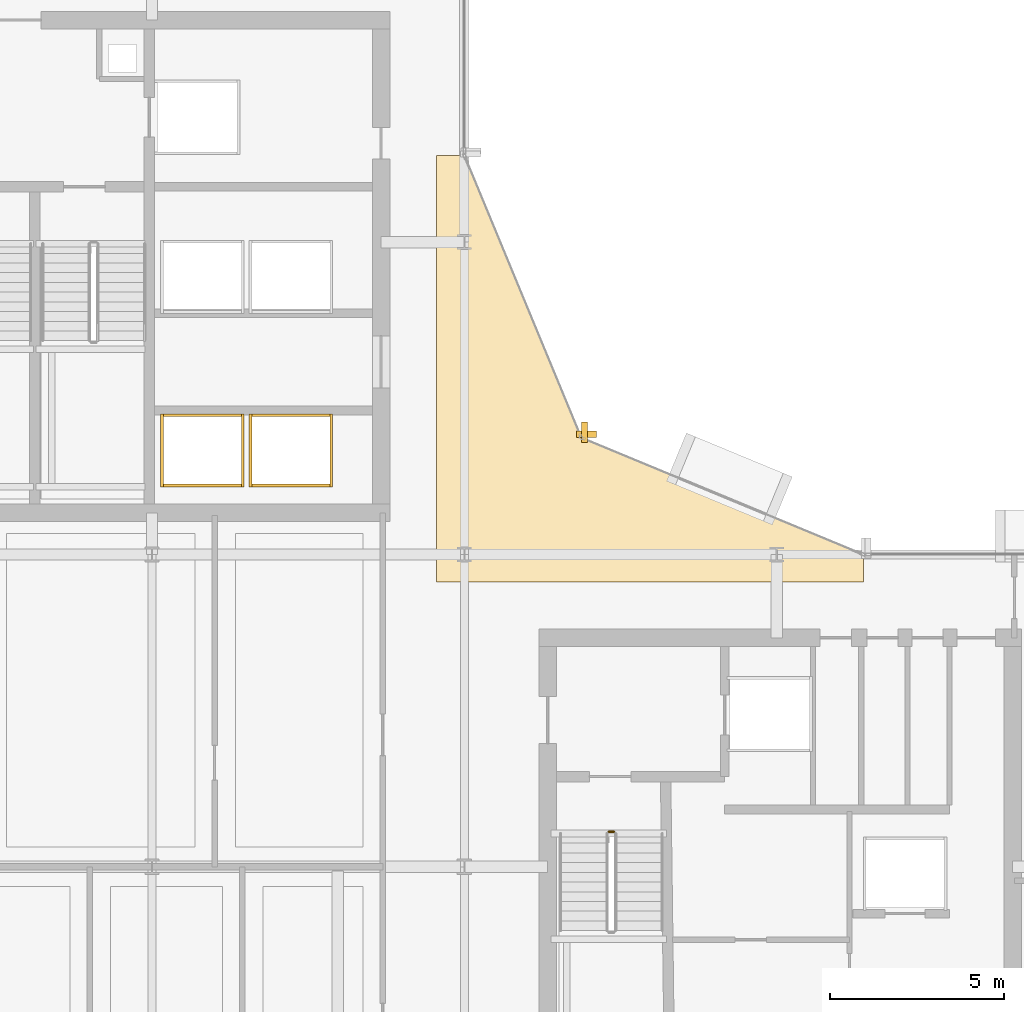
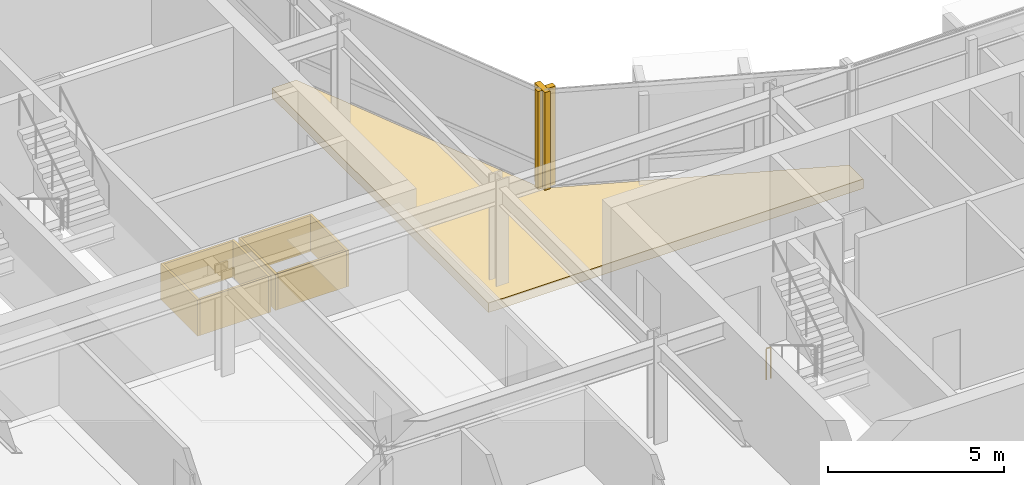
# One storey, part 26 of 28: 11 coverings, 1 railing.
"""IFC4 building model written with IfcOpenShell, lengths in metres."""

import ifcopenshell
import ifcopenshell.guid

model = None  # the IFC model being written
_history = None  # IfcOwnerHistory: only IFC2X3 demands one
_inside = {}  # id of a spatial element -> (the spatial element, [elements in it])
_under = {}  # id of a project, library or spatial element -> (it, [spatial elements below it])
_declared = {}  # id of a project -> (the project, [libraries it declares])
_typed = {}  # id of a type object -> (the type object, [elements of that type])
_made_of = {}  # id of a material, layer set ... -> (it, [elements and type objects made of it])


def new_model(schema):
    """Start an empty IFC model of exactly this schema.

    Asked for "IFC4X3", IfcOpenShell would pick the latest addendum, in which some entities
    have other attributes; the version numbers below select the first issue.
    IFC2X3 requires an IfcOwnerHistory on every rooted entity: one is made here for all.
    """
    global model, _history
    if schema == "IFC4X3":
        model = ifcopenshell.file(schema_version=(4, 3, 0, 0))
    else:
        model = ifcopenshell.file(schema=schema)
    _inside.clear()
    _under.clear()
    _declared.clear()
    _typed.clear()
    _made_of.clear()
    _history = None
    if model.schema == "IFC2X3":
        org = make("IfcOrganization", Name="unknown")
        user = make(
            "IfcPersonAndOrganization",
            ThePerson=make("IfcPerson", FamilyName="unknown"),
            TheOrganization=org,
        )
        app = make(
            "IfcApplication",
            ApplicationDeveloper=org,
            Version="unknown",
            ApplicationFullName="unknown",
            ApplicationIdentifier="unknown",
        )
        _history = make(
            "IfcOwnerHistory",
            OwningUser=user,
            OwningApplication=app,
            ChangeAction="ADDED",
            CreationDate=0,
        )
    return model


def make(cls, **values):
    """One entity of the class cls with the attributes given. An attribute that is None is left unset."""
    return model.create_entity(
        cls, **{name: value for name, value in values.items() if value is not None}
    )


def rooted(cls, **values):
    """An entity with a GlobalId (a new one), such as an element, a storey or a relation."""
    return make(cls, GlobalId=ifcopenshell.guid.new(), OwnerHistory=_history, **values)


def si_unit(unit_type, name, prefix=None):
    """IfcSIUnit, for example si_unit("LENGTHUNIT", "METRE", prefix="MILLI")."""
    return make("IfcSIUnit", UnitType=unit_type, Prefix=prefix, Name=name)


def assignment(units):
    """IfcUnitAssignment: the units of a project."""
    return None if units is None else make("IfcUnitAssignment", Units=units)


def point(xyz):
    """IfcCartesianPoint."""
    return None if xyz is None else make("IfcCartesianPoint", Coordinates=xyz)


def direction(xyz):
    """IfcDirection."""
    return None if xyz is None else make("IfcDirection", DirectionRatios=xyz)


def frame(location, z_axis=None, x_axis=None):
    """IfcAxis2Placement3D, a coordinate frame: its origin and axes. An axis left out is left unset."""
    return make(
        "IfcAxis2Placement3D",
        Location=point(location),
        Axis=direction(z_axis),
        RefDirection=direction(x_axis),
    )


def frame_2d(location, x_axis=None):
    """IfcAxis2Placement2D, a coordinate frame in the plane: its origin and x axis."""
    return make(
        "IfcAxis2Placement2D", Location=point(location), RefDirection=direction(x_axis)
    )


def origin():
    """The frame at (0, 0, 0) with its axes left unset."""
    return frame((0.0, 0.0, 0.0))


def origin_2d():
    """The frame at (0, 0) in the plane with its x axis left unset."""
    return frame_2d((0.0, 0.0))


def place(relative_to, where):
    """IfcLocalPlacement: puts the frame where relative to a parent placement (None: the world)."""
    return make(
        "IfcLocalPlacement", PlacementRelTo=relative_to, RelativePlacement=where
    )


def context(
    kind, dimensions, precision=None, world=None, true_north=None, identifier=None
):
    """IfcGeometricRepresentationContext, for example the 3D "Model" context."""
    return make(
        "IfcGeometricRepresentationContext",
        ContextIdentifier=identifier,
        ContextType=kind,
        CoordinateSpaceDimension=dimensions,
        Precision=precision,
        WorldCoordinateSystem=world,
        TrueNorth=true_north,
    )


def subcontext(parent, identifier, kind, view, scale=None):
    """IfcGeometricRepresentationSubContext, for example "Body" below "Model"."""
    return make(
        "IfcGeometricRepresentationSubContext",
        ContextIdentifier=identifier,
        ContextType=kind,
        ParentContext=parent,
        TargetScale=scale,
        TargetView=view,
    )


def project(units=None, contexts=None):
    """IfcProject with its units and contexts."""
    return rooted(
        "IfcProject",
        Name="project",
        RepresentationContexts=contexts,
        UnitsInContext=assignment(units),
    )


def spatial(cls, under=None, at=None, **own):
    """A site, building, storey or space (cls), placed at a placement, below another one or the project."""
    s = rooted(cls, ObjectPlacement=at, **own)
    if under is not None:
        _under.setdefault(under.id(), (under, []))[1].append(s)
    return s


def polyline(points):
    """IfcPolyline through the points."""
    return make("IfcPolyline", Points=[point(p) for p in points])


def profile(cls, at=None, kind="AREA", **sizes):
    """A parametric profile (cls). Its sizes go by their IFC names, for example OverallWidth=200.0."""
    return make(cls, ProfileType=kind, Position=at, **sizes)


def rectangle(**sizes):
    """IfcRectangleProfileDef."""
    return profile("IfcRectangleProfileDef", **sizes)


def circle(**sizes):
    """IfcCircleProfileDef."""
    return profile("IfcCircleProfileDef", **sizes)


def outline(outer, holes=None, kind="AREA"):
    """IfcArbitraryClosedProfileDef: a profile drawn as a closed curve; with holes, ...WithVoids."""
    if holes is None:
        return make("IfcArbitraryClosedProfileDef", ProfileType=kind, OuterCurve=outer)
    return make(
        "IfcArbitraryProfileDefWithVoids",
        ProfileType=kind,
        OuterCurve=outer,
        InnerCurves=holes,
    )


def extrude(swept, where, along, depth):
    """IfcExtrudedAreaSolid: the profile swept, set in the frame where, extruded along a direction by depth."""
    return make(
        "IfcExtrudedAreaSolid",
        SweptArea=swept,
        Position=where,
        ExtrudedDirection=direction(along),
        Depth=depth,
    )


def shape(context_of_items, identifier, shape_type, items):
    """IfcShapeRepresentation: the items that make up one representation, for example the "Body"."""
    return make(
        "IfcShapeRepresentation",
        ContextOfItems=context_of_items,
        RepresentationIdentifier=identifier,
        RepresentationType=shape_type,
        Items=items,
    )


def material(Name=None, Category=None):
    """IfcMaterial."""
    return make("IfcMaterial", Name=Name, Category=Category)


def layer(
    of_material, thickness, ventilated=None, Name=None, Category=None, Priority=None
):
    """IfcMaterialLayer: one layer of a wall or slab, of a material (None: an air gap)."""
    return make(
        "IfcMaterialLayer",
        Material=of_material,
        LayerThickness=thickness,
        IsVentilated=ventilated,
        Name=Name,
        Category=Category,
        Priority=Priority,
    )


def layer_set(layers, Name=None):
    """IfcMaterialLayerSet."""
    return make("IfcMaterialLayerSet", MaterialLayers=layers, LayerSetName=Name)


def made_of(thing, what):
    """Note that an element or type object is made of a material, layer set ...; save() writes the relation."""
    if what is not None:
        _made_of.setdefault(what.id(), (what, []))[1].append(thing)
    return thing


def type_object(cls, material=None, **own):
    """A type object (cls), such as IfcWallType, which elements share."""
    return made_of(rooted(cls, **own), material)


def element(
    cls,
    number,
    at=None,
    inside=None,
    cuts=None,
    type_object=None,
    material=None,
    context=None,
    identifier="Body",
    shape_type=None,
    held_by="IfcProductDefinitionShape",
    body=None,
    shapes=None,
    **own,
):
    """One element of the class cls, such as IfcWall. Its Tag is "e" and its number.

    at: its placement. inside: the storey or other place that contains it. cuts: it is an
    opening in that element (IfcRelVoidsElement). A single representation is given by context,
    identifier, shape_type and body (its items); several are given by shapes. held_by: the class
    of the entity that holds the representations. save() writes the other relations.
    """
    e = rooted(cls, Tag="e%d" % number, ObjectPlacement=at, **own)
    if body is not None:
        shapes = [shape(context, identifier, shape_type, body)]
    if shapes is not None:
        e.Representation = make(held_by, Representations=shapes)
    if inside is not None:
        _inside.setdefault(inside.id(), (inside, []))[1].append(e)
    if cuts is not None:
        rooted(
            "IfcRelVoidsElement", RelatingBuildingElement=cuts, RelatedOpeningElement=e
        )
    if type_object is not None:
        _typed.setdefault(type_object.id(), (type_object, []))[1].append(e)
    return made_of(e, material)


def aggregate(whole, parts):
    """IfcRelAggregates: a whole, such as a stair, and the parts it consists of."""
    return rooted("IfcRelAggregates", RelatingObject=whole, RelatedObjects=parts)


def save(model, path):
    """Write the relations noted so far, then the file.

    IfcRelAggregates (storeys below a building ...), IfcRelContainedInSpatialStructure (elements
    in a storey), IfcRelDefinesByType, IfcRelAssociatesMaterial and IfcRelDeclares: one each for
    every whole, place, type object, material and project.
    """
    for whole, parts in _under.values():
        aggregate(whole, parts)
    for where, things in _inside.values():
        rooted(
            "IfcRelContainedInSpatialStructure",
            RelatedElements=things,
            RelatingStructure=where,
        )
    for kind, things in _typed.values():
        rooted("IfcRelDefinesByType", RelatedObjects=things, RelatingType=kind)
    for what, things in _made_of.values():
        rooted("IfcRelAssociatesMaterial", RelatedObjects=things, RelatingMaterial=what)
    for by, libraries in _declared.values():
        rooted("IfcRelDeclares", RelatingContext=by, RelatedDefinitions=libraries)
    model.write(path)


model = new_model("IFC4")

# Units and contexts
model_context = context("Model", 3, precision=1e-05, world=origin(), true_north=direction((0.0, 1.0)))
body_context = subcontext(model_context, "Body", "Model", "MODEL_VIEW")
ifc_project = project(units=[si_unit("LENGTHUNIT", "METRE"), si_unit("AREAUNIT", "SQUARE_METRE"), si_unit("VOLUMEUNIT", "CUBIC_METRE"), si_unit("PLANEANGLEUNIT", "RADIAN"), si_unit("MASSUNIT", "GRAM", prefix="KILO")], contexts=[model_context])

# Site, building, storey
site_placement = place(None, origin())
site = spatial("IfcSite", under=ifc_project, at=site_placement, CompositionType="ELEMENT")
building_placement = place(site_placement, origin())
building = spatial("IfcBuilding", under=site, at=building_placement, Name="Solvaryn Broadcast Tower", CompositionType="ELEMENT")
storey_placement = place(building_placement, frame((0.0, 0.0, 150.699951171875)))
storey = spatial("IfcBuildingStorey", under=building, at=storey_placement, Name="L37", CompositionType="ELEMENT", Elevation=150.699951171875)

# Coverings
ifc_material_1 = material(Name="Fire-Rated Gypsum Shaftwall Liner", Category="concrete")
ifc_layer_1 = layer(ifc_material_1, 0.080078125)
ifc_layer_set_1 = layer_set([ifc_layer_1], Name="CV-SHAFT-LINER")
covering_type_1 = type_object("IfcCoveringType", Name="CV-SHAFT-LINER", PredefinedType="CLADDING", material=ifc_layer_set_1)
for number, where, z_axis, x_axis, name in (
    (1, (19.449951171875, 31.014892578125, 0.0), (0.0, 0.0, 1.0), (1.0, 0.0, 0.0), "L37 PH1 Hoistway Shaft Liner North"),
    (2, (19.449951171875, 28.985107421875, 0.0), (0.0, 0.0, 1.0), (1.0, 0.0, 0.0), "L37 PH1 Hoistway Shaft Liner South"),
):
    element("IfcCovering", number, at=place(storey_placement, frame(where, z_axis=z_axis, x_axis=x_axis)), inside=storey, type_object=covering_type_1, Name=name, PredefinedType="CLADDING", context=body_context, shape_type="SweptSolid", body=[
        extrude(rectangle(XDim=2.409912109375, YDim=0.080078125, at=origin_2d()), origin(), (0.0, 0.0, 1.0), 1.25),
    ])
for number, where, z_axis, x_axis, name in (
    (3, (20.614990234375, 30.0, 0.0), (0.0, 0.0, 1.0), (1.0, 0.0, 0.0), "L37 PH1 Hoistway Shaft Liner East"),
    (4, (18.284912109375, 30.0, 0.0), (0.0, 0.0, 1.0), (1.0, 0.0, 0.0), "L37 PH1 Hoistway Shaft Liner West"),
):
    element("IfcCovering", number, at=place(storey_placement, frame(where, z_axis=z_axis, x_axis=x_axis)), inside=storey, type_object=covering_type_1, Name=name, PredefinedType="CLADDING", context=body_context, shape_type="SweptSolid", body=[
        extrude(rectangle(XDim=0.080078125, YDim=2.110107421875, at=origin_2d()), origin(), (0.0, 0.0, 1.0), 1.25),
    ])
for number, where, z_axis, x_axis, name in (
    (5, (22.0, 31.014892578125, 0.0), (0.0, 0.0, 1.0), (1.0, 0.0, 0.0), "L37 PH2 Hoistway Shaft Liner North"),
    (6, (22.0, 28.985107421875, 0.0), (0.0, 0.0, 1.0), (1.0, 0.0, 0.0), "L37 PH2 Hoistway Shaft Liner South"),
):
    element("IfcCovering", number, at=place(storey_placement, frame(where, z_axis=z_axis, x_axis=x_axis)), inside=storey, type_object=covering_type_1, Name=name, PredefinedType="CLADDING", context=body_context, shape_type="SweptSolid", body=[
        extrude(rectangle(XDim=2.409912109375, YDim=0.080078125, at=origin_2d()), origin(), (0.0, 0.0, 1.0), 1.25),
    ])
for number, where, z_axis, x_axis, name in (
    (7, (23.1650390625, 30.0, 0.0), (0.0, 0.0, 1.0), (1.0, 0.0, 0.0), "L37 PH2 Hoistway Shaft Liner East"),
    (8, (20.8349609375, 30.0, 0.0), (0.0, 0.0, 1.0), (1.0, 0.0, 0.0), "L37 PH2 Hoistway Shaft Liner West"),
):
    element("IfcCovering", number, at=place(storey_placement, frame(where, z_axis=z_axis, x_axis=x_axis)), inside=storey, type_object=covering_type_1, Name=name, PredefinedType="CLADDING", context=body_context, shape_type="SweptSolid", body=[
        extrude(rectangle(XDim=0.080078125, YDim=2.110107421875, at=origin_2d()), origin(), (0.0, 0.0, 1.0), 1.25),
    ])
ifc_material_2 = material(Name="Extruded Architectural Terracotta Fin", Category="masonry")
ifc_layer_2 = layer(ifc_material_2, 0.179931640625)
ifc_layer_set_2 = layer_set([ifc_layer_2], Name="CV-TC-FIN")
covering_type_2 = type_object("IfcCoveringType", Name="CV-TC-FIN", PredefinedType="USERDEFINED", material=ifc_layer_set_2)
covering_1_placement = place(storey_placement, frame((30.464599609375, 30.52294921875, 0.0), z_axis=(0.0, 0.0, 1.0), x_axis=(1.0, 0.0, 0.0)))
element("IfcCovering", 9, at=covering_1_placement, inside=storey, type_object=covering_type_2, Name="L37 Terracotta Vertical Fin FIN-L37-CN1-M01", ObjectType="FIN", PredefinedType="USERDEFINED", context=body_context, shape_type="SweptSolid", body=[
    extrude(rectangle(XDim=0.179931640625, YDim=0.580078125, at=origin_2d()), origin(), (0.0, 0.0, 1.0), 3.419921875),
])
covering_2_placement = place(storey_placement, frame((30.52294921875, 30.464599609375, 0.0), z_axis=(0.0, 0.0, 1.0), x_axis=(1.0, 0.0, 0.0)))
element("IfcCovering", 10, at=covering_2_placement, inside=storey, type_object=covering_type_2, Name="L37 Terracotta Vertical Fin FIN-L37-CN2-M00", ObjectType="FIN", PredefinedType="USERDEFINED", context=body_context, shape_type="SweptSolid", body=[
    extrude(rectangle(XDim=0.580078125, YDim=0.179931640625, at=origin_2d()), origin(), (0.0, 0.0, 1.0), 3.419921875),
])
ifc_material_3 = material(Name="Sculpted Architectural Terracotta Wave Fascia", Category="masonry")
ifc_layer_3 = layer(ifc_material_3, 0.340087890625)
ifc_layer_set_3 = layer_set([ifc_layer_3], Name="CV-WAVE-TRAY")
covering_type_3 = type_object("IfcCoveringType", Name="CV-WAVE-TRAY", PredefinedType="CLADDING", material=ifc_layer_set_3)
covering_3_placement = place(storey_placement, frame((0.0, 0.0, -0.300048828125)))
element("IfcCovering", 11, at=covering_3_placement, inside=storey, type_object=covering_type_3, Name="L37 Concave Canyon Floor Apron", PredefinedType="CLADDING", context=body_context, shape_type="SweptSolid", body=[
    extrude(outline(polyline([(26.199951171875, 26.199951171875), (38.5, 26.199951171875), (38.5, 27.0), (30.367919921875, 30.367919921875), (27.0, 38.5), (26.199951171875, 38.5), (26.199951171875, 26.199951171875)])), origin(), (0.0, 0.0, 1.0), 0.330078125),
])

# Railing
ifc_material_4 = material(Name="Painted Steel Stair Well Guard", Category="steel")
railing_type = type_object("IfcRailingType", Name="RL-STAIR-GUARD", PredefinedType="BALUSTRADE", material=ifc_material_4)
railing_placement = place(storey_placement, frame((31.159912109375, 19.010009765625, 0.0)))
element("IfcRailing", 12, at=railing_placement, inside=storey, type_object=railing_type, Name="L37 ST3 stair guard 4", PredefinedType="BALUSTRADE", context=body_context, shape_type="SweptSolid", body=[
    extrude(circle(Radius=0.02392578125, at=origin_2d()), frame((0.0, 0.0, 1.076171875), z_axis=(1.0, 0.0, 0.0), x_axis=(0.0, 1.0, 0.0)), (0.0, 0.0, 1.0), 0.150146484375),
    extrude(circle(Radius=0.02099609375, at=origin_2d()), origin(), (0.0, 0.0, 1.0), 1.052001953125),
    extrude(circle(Radius=0.02099609375, at=origin_2d()), frame((0.150146484375, 0.0, 0.0)), (0.0, 0.0, 1.0), 1.052001953125),
])

save(model, "model.ifc")
